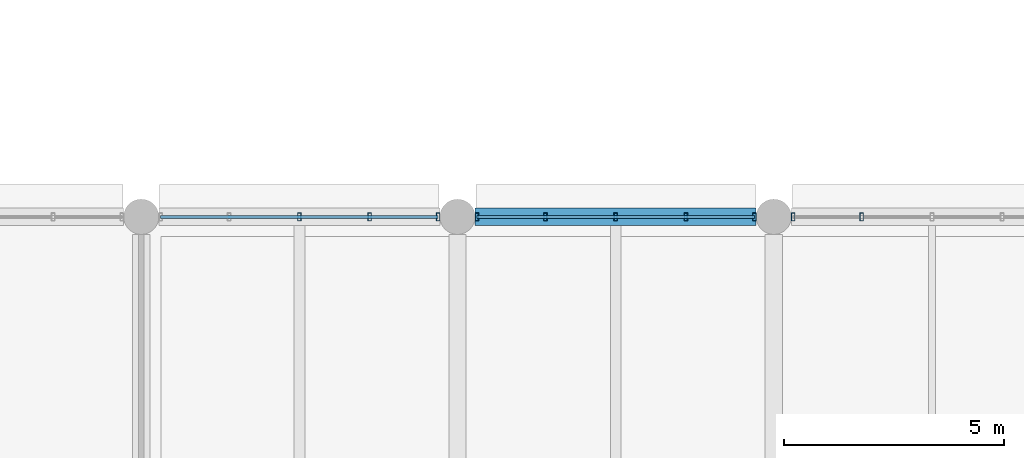
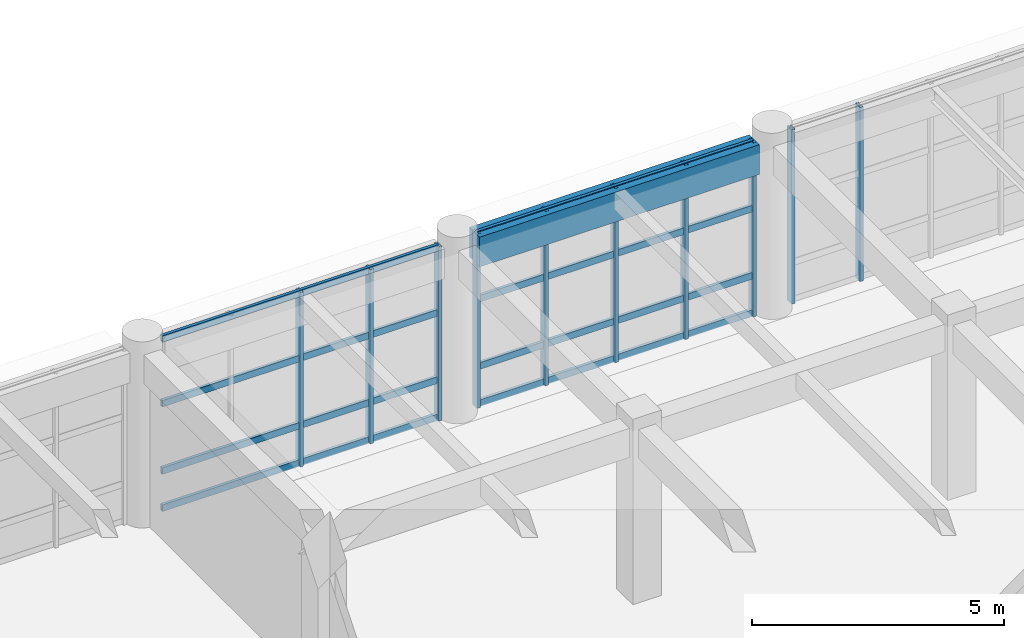
# One storey, part 56 of 171: 18 members, 1 beam, 3 elements without a shape of their own.
"""IFC4 building model written with IfcOpenShell, lengths in metres."""

from ifc_helpers import new_model, si_unit, direction, frame, origin, origin_2d, place, context, subcontext, project, spatial, rectangle, hollow_rectangle, extrude, material, material_profile, profile_set, type_object, element, aggregate, save


model = new_model("IFC4")

# Units and contexts
model_context = context("Model", 3, precision=1e-05, world=origin(), true_north=direction((0.0, 1.0)))
body_context = subcontext(model_context, "Body", "Model", "MODEL_VIEW")
ifc_project = project(units=[si_unit("LENGTHUNIT", "METRE"), si_unit("AREAUNIT", "SQUARE_METRE"), si_unit("VOLUMEUNIT", "CUBIC_METRE"), si_unit("PLANEANGLEUNIT", "RADIAN"), si_unit("MASSUNIT", "GRAM", prefix="KILO")], contexts=[model_context])

# Site, building, storey
site_placement = place(None, origin())
site = spatial("IfcSite", under=ifc_project, at=site_placement, CompositionType="ELEMENT")
building_placement = place(site_placement, origin())
building = spatial("IfcBuilding", under=site, at=building_placement, Name="Thalmaran Polytechnic", CompositionType="ELEMENT")
storey_placement = place(building_placement, frame((0.0, 0.0, 5.39990234375)))
storey = spatial("IfcBuildingStorey", under=building, at=storey_placement, Name="L01", CompositionType="ELEMENT", Elevation=5.39990234375)

# Beam
ifc_material_1 = material(Name="Concrete C40/50", Category="concrete")
ifc_material_profile_1 = material_profile(ifc_material_1, rectangle(XDim=0.39990234375, YDim=0.719970703125, at=origin_2d()), Name="RC 400x720")
ifc_profile_set_1 = profile_set([ifc_material_profile_1], Name="Concrete C40/50")
beam_type = type_object("IfcBeamType", Name="BM-SP01", PredefinedType="SPANDREL", material=ifc_profile_set_1)
beam_placement = place(storey_placement, frame((36.39990234375, 72.0, 3.85009765625), z_axis=(1.0, 0.0, 0.0), x_axis=(0.0, 1.0, 0.0)))
element("IfcBeam", 1, at=beam_placement, inside=storey, type_object=beam_type, Name="Grid Beam SP01 L01 X(5,10)", PredefinedType="SPANDREL", context=body_context, shape_type="SweptSolid", body=[
    extrude(rectangle(XDim=0.39990234375, YDim=0.719970703125, at=origin_2d()), origin(), (0.0, 0.0, 1.0), 6.400146484375),
])

# Curtain wall, members
ifc_material_2 = material(Name="Aluminium 6063-T6", Category="aluminium")
curtain_wall_type = type_object("IfcCurtainWallType", Name="CW-SC01", PredefinedType="USERDEFINED", material=ifc_material_2)
curtain_wall_1_placement = place(storey_placement, origin())
curtain_wall_1 = element("IfcCurtainWall", 2, at=curtain_wall_1_placement, inside=storey, type_object=curtain_wall_type, Name="Curtain Wall CW-L01-140", ObjectType="STICK CURTAIN WALL", PredefinedType="USERDEFINED")
ifc_material_profile_2 = material_profile(ifc_material_2, hollow_rectangle(XDim=0.080078125, YDim=0.179931640625, WallThickness=0.0048828125, at=origin_2d()), Name="RHS 180x80x5.0")
ifc_profile_set_2 = profile_set([ifc_material_profile_2], Name="Aluminium 6063-T6")
member_type_1 = type_object("IfcMemberType", Name="CW-MUL1", PredefinedType="MULLION", material=ifc_profile_set_2)
member_1_placement = place(storey_placement, frame((32.39990234375, 72.0, 0.0), z_axis=(0.0, 0.0, 1.0), x_axis=(1.0, 0.0, 0.0)))
member_1 = element("IfcMember", 3, at=member_1_placement, type_object=member_type_1, Name="CW-L01-140 Mullion 3", PredefinedType="MULLION", context=body_context, shape_type="SweptSolid", body=[
    extrude(hollow_rectangle(XDim=0.080078125, YDim=0.179931640625, WallThickness=0.0048828125, at=origin_2d()), origin(), (0.0, 0.0, 1.0), 4.210205078125),
])
member_2_placement = place(storey_placement, frame((34.0, 72.0, 0.0), z_axis=(0.0, 0.0, 1.0), x_axis=(1.0, 0.0, 0.0)))
member_2 = element("IfcMember", 4, at=member_2_placement, type_object=member_type_1, Name="CW-L01-140 Mullion 4", PredefinedType="MULLION", context=body_context, shape_type="SweptSolid", body=[
    extrude(hollow_rectangle(XDim=0.080078125, YDim=0.179931640625, WallThickness=0.0048828125, at=origin_2d()), origin(), (0.0, 0.0, 1.0), 4.210205078125),
])
member_3_placement = place(storey_placement, frame((35.56005859375, 72.0, 0.0), z_axis=(0.0, 0.0, 1.0), x_axis=(1.0, 0.0, 0.0)))
member_3 = element("IfcMember", 5, at=member_3_placement, type_object=member_type_1, Name="CW-L01-140 Mullion 5", PredefinedType="MULLION", context=body_context, shape_type="SweptSolid", body=[
    extrude(hollow_rectangle(XDim=0.080078125, YDim=0.179931640625, WallThickness=0.0048828125, at=origin_2d()), origin(), (0.0, 0.0, 1.0), 4.210205078125),
])

curtain_wall_2_placement = place(storey_placement, origin())
curtain_wall_2 = element("IfcCurtainWall", 6, at=curtain_wall_2_placement, inside=storey, type_object=curtain_wall_type, Name="Curtain Wall CW-L01-141", ObjectType="STICK CURTAIN WALL", PredefinedType="USERDEFINED")
member_4_placement = place(storey_placement, frame((36.43994140625, 72.0, 0.0), z_axis=(0.0, 0.0, 1.0), x_axis=(1.0, 0.0, 0.0)))
member_4 = element("IfcMember", 7, at=member_4_placement, type_object=member_type_1, Name="CW-L01-141 Mullion 1", PredefinedType="MULLION", context=body_context, shape_type="SweptSolid", body=[
    extrude(hollow_rectangle(XDim=0.080078125, YDim=0.179931640625, WallThickness=0.0048828125, at=origin_2d()), origin(), (0.0, 0.0, 1.0), 4.210205078125),
])
member_5_placement = place(storey_placement, frame((38.0, 72.0, 0.0), z_axis=(0.0, 0.0, 1.0), x_axis=(1.0, 0.0, 0.0)))
member_5 = element("IfcMember", 8, at=member_5_placement, type_object=member_type_1, Name="CW-L01-141 Mullion 2", PredefinedType="MULLION", context=body_context, shape_type="SweptSolid", body=[
    extrude(hollow_rectangle(XDim=0.080078125, YDim=0.179931640625, WallThickness=0.0048828125, at=origin_2d()), origin(), (0.0, 0.0, 1.0), 4.210205078125),
])
member_6_placement = place(storey_placement, frame((39.60009765625, 72.0, 0.0), z_axis=(0.0, 0.0, 1.0), x_axis=(1.0, 0.0, 0.0)))
member_6 = element("IfcMember", 9, at=member_6_placement, type_object=member_type_1, Name="CW-L01-141 Mullion 3", PredefinedType="MULLION", context=body_context, shape_type="SweptSolid", body=[
    extrude(hollow_rectangle(XDim=0.080078125, YDim=0.179931640625, WallThickness=0.0048828125, at=origin_2d()), origin(), (0.0, 0.0, 1.0), 4.210205078125),
])
member_7_placement = place(storey_placement, frame((41.199951171875, 72.0, 0.0), z_axis=(0.0, 0.0, 1.0), x_axis=(1.0, 0.0, 0.0)))
member_7 = element("IfcMember", 10, at=member_7_placement, type_object=member_type_1, Name="CW-L01-141 Mullion 4", PredefinedType="MULLION", context=body_context, shape_type="SweptSolid", body=[
    extrude(hollow_rectangle(XDim=0.080078125, YDim=0.179931640625, WallThickness=0.0048828125, at=origin_2d()), origin(), (0.0, 0.0, 1.0), 4.210205078125),
])
member_8_placement = place(storey_placement, frame((42.760009765625, 72.0, 0.0), z_axis=(0.0, 0.0, 1.0), x_axis=(1.0, 0.0, 0.0)))
member_8 = element("IfcMember", 11, at=member_8_placement, type_object=member_type_1, Name="CW-L01-141 Mullion 5", PredefinedType="MULLION", context=body_context, shape_type="SweptSolid", body=[
    extrude(hollow_rectangle(XDim=0.080078125, YDim=0.179931640625, WallThickness=0.0048828125, at=origin_2d()), origin(), (0.0, 0.0, 1.0), 4.210205078125),
])

curtain_wall_3_placement = place(storey_placement, origin())
curtain_wall_3 = element("IfcCurtainWall", 12, at=curtain_wall_3_placement, inside=storey, type_object=curtain_wall_type, Name="Curtain Wall CW-L01-142", ObjectType="STICK CURTAIN WALL", PredefinedType="USERDEFINED")
member_9_placement = place(storey_placement, frame((43.639892578125, 72.0, 0.0), z_axis=(0.0, 0.0, 1.0), x_axis=(1.0, 0.0, 0.0)))
member_9 = element("IfcMember", 13, at=member_9_placement, type_object=member_type_1, Name="CW-L01-142 Mullion 1", PredefinedType="MULLION", context=body_context, shape_type="SweptSolid", body=[
    extrude(hollow_rectangle(XDim=0.080078125, YDim=0.179931640625, WallThickness=0.0048828125, at=origin_2d()), origin(), (0.0, 0.0, 1.0), 4.210205078125),
])
member_10_placement = place(storey_placement, frame((45.199951171875, 72.0, 0.0), z_axis=(0.0, 0.0, 1.0), x_axis=(1.0, 0.0, 0.0)))
member_10 = element("IfcMember", 14, at=member_10_placement, type_object=member_type_1, Name="CW-L01-142 Mullion 2", PredefinedType="MULLION", context=body_context, shape_type="SweptSolid", body=[
    extrude(hollow_rectangle(XDim=0.080078125, YDim=0.179931640625, WallThickness=0.0048828125, at=origin_2d()), origin(), (0.0, 0.0, 1.0), 4.210205078125),
])
aggregate(curtain_wall_3, [member_9, member_10])

# Member
ifc_material_profile_3 = material_profile(ifc_material_2, hollow_rectangle(XDim=0.070068359375, YDim=0.159912109375, WallThickness=0.00390625, at=origin_2d()), Name="AL 160x70x4.0")
ifc_profile_set_3 = profile_set([ifc_material_profile_3], Name="Aluminium 6063-T6")
member_type_2 = type_object("IfcMemberType", Name="CW-TRN1", PredefinedType="USERDEFINED", material=ifc_profile_set_3)
member_11_placement = place(storey_placement, frame((29.239990234375, 72.0, 0.06005859375), z_axis=(1.0, 0.0, 0.0), x_axis=(0.0, 1.0, 0.0)))
member_11 = element("IfcMember", 15, at=member_11_placement, type_object=member_type_2, Name="CW-L01-140 Transom 1", ObjectType="TRANSOM", PredefinedType="USERDEFINED", context=body_context, shape_type="SweptSolid", body=[
    extrude(hollow_rectangle(XDim=0.070068359375, YDim=0.159912109375, WallThickness=0.00390625, at=origin_2d()), origin(), (0.0, 0.0, 1.0), 6.320068359375),
])

member_12_placement = place(storey_placement, frame((29.239990234375, 72.0, 0.960205078125), z_axis=(1.0, 0.0, 0.0), x_axis=(0.0, 1.0, 0.0)))
member_12 = element("IfcMember", 16, at=member_12_placement, type_object=member_type_2, Name="CW-L01-140 Transom 2", ObjectType="TRANSOM", PredefinedType="USERDEFINED", context=body_context, shape_type="SweptSolid", body=[
    extrude(hollow_rectangle(XDim=0.070068359375, YDim=0.159912109375, WallThickness=0.00390625, at=origin_2d()), origin(), (0.0, 0.0, 1.0), 6.320068359375),
])

member_13_placement = place(storey_placement, frame((29.239990234375, 72.0, 2.585205078125), z_axis=(1.0, 0.0, 0.0), x_axis=(0.0, 1.0, 0.0)))
member_13 = element("IfcMember", 17, at=member_13_placement, type_object=member_type_2, Name="CW-L01-140 Transom 3", ObjectType="TRANSOM", PredefinedType="USERDEFINED", context=body_context, shape_type="SweptSolid", body=[
    extrude(hollow_rectangle(XDim=0.070068359375, YDim=0.159912109375, WallThickness=0.00390625, at=origin_2d()), origin(), (0.0, 0.0, 1.0), 6.320068359375),
])

member_14_placement = place(storey_placement, frame((29.239990234375, 72.0, 4.150146484375), z_axis=(1.0, 0.0, 0.0), x_axis=(0.0, 1.0, 0.0)))
member_14 = element("IfcMember", 18, at=member_14_placement, type_object=member_type_2, Name="CW-L01-140 Transom 4", ObjectType="TRANSOM", PredefinedType="USERDEFINED", context=body_context, shape_type="SweptSolid", body=[
    extrude(hollow_rectangle(XDim=0.070068359375, YDim=0.159912109375, WallThickness=0.00390625, at=origin_2d()), origin(), (0.0, 0.0, 1.0), 6.320068359375),
])

aggregate(curtain_wall_1, [member_1, member_2, member_3, member_11, member_12, member_13, member_14])

member_15_placement = place(storey_placement, frame((36.43994140625, 72.0, 0.06005859375), z_axis=(1.0, 0.0, 0.0), x_axis=(0.0, 1.0, 0.0)))
member_15 = element("IfcMember", 19, at=member_15_placement, type_object=member_type_2, Name="CW-L01-141 Transom 1", ObjectType="TRANSOM", PredefinedType="USERDEFINED", context=body_context, shape_type="SweptSolid", body=[
    extrude(hollow_rectangle(XDim=0.070068359375, YDim=0.159912109375, WallThickness=0.00390625, at=origin_2d()), origin(), (0.0, 0.0, 1.0), 6.320068359375),
])

member_16_placement = place(storey_placement, frame((36.43994140625, 72.0, 0.960205078125), z_axis=(1.0, 0.0, 0.0), x_axis=(0.0, 1.0, 0.0)))
member_16 = element("IfcMember", 20, at=member_16_placement, type_object=member_type_2, Name="CW-L01-141 Transom 2", ObjectType="TRANSOM", PredefinedType="USERDEFINED", context=body_context, shape_type="SweptSolid", body=[
    extrude(hollow_rectangle(XDim=0.070068359375, YDim=0.159912109375, WallThickness=0.00390625, at=origin_2d()), origin(), (0.0, 0.0, 1.0), 6.320068359375),
])

member_17_placement = place(storey_placement, frame((36.43994140625, 72.0, 2.585205078125), z_axis=(1.0, 0.0, 0.0), x_axis=(0.0, 1.0, 0.0)))
member_17 = element("IfcMember", 21, at=member_17_placement, type_object=member_type_2, Name="CW-L01-141 Transom 3", ObjectType="TRANSOM", PredefinedType="USERDEFINED", context=body_context, shape_type="SweptSolid", body=[
    extrude(hollow_rectangle(XDim=0.070068359375, YDim=0.159912109375, WallThickness=0.00390625, at=origin_2d()), origin(), (0.0, 0.0, 1.0), 6.320068359375),
])

member_18_placement = place(storey_placement, frame((36.43994140625, 72.0, 4.150146484375), z_axis=(1.0, 0.0, 0.0), x_axis=(0.0, 1.0, 0.0)))
member_18 = element("IfcMember", 22, at=member_18_placement, type_object=member_type_2, Name="CW-L01-141 Transom 4", ObjectType="TRANSOM", PredefinedType="USERDEFINED", context=body_context, shape_type="SweptSolid", body=[
    extrude(hollow_rectangle(XDim=0.070068359375, YDim=0.159912109375, WallThickness=0.00390625, at=origin_2d()), origin(), (0.0, 0.0, 1.0), 6.320068359375),
])

aggregate(curtain_wall_2, [member_4, member_5, member_6, member_7, member_8, member_15, member_16, member_17, member_18])

save(model, "model.ifc")
